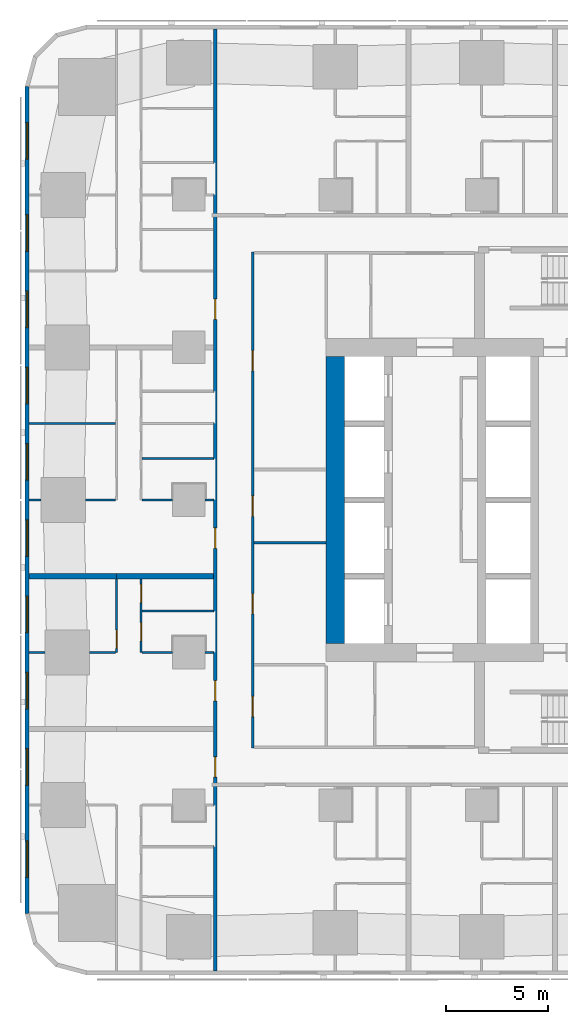
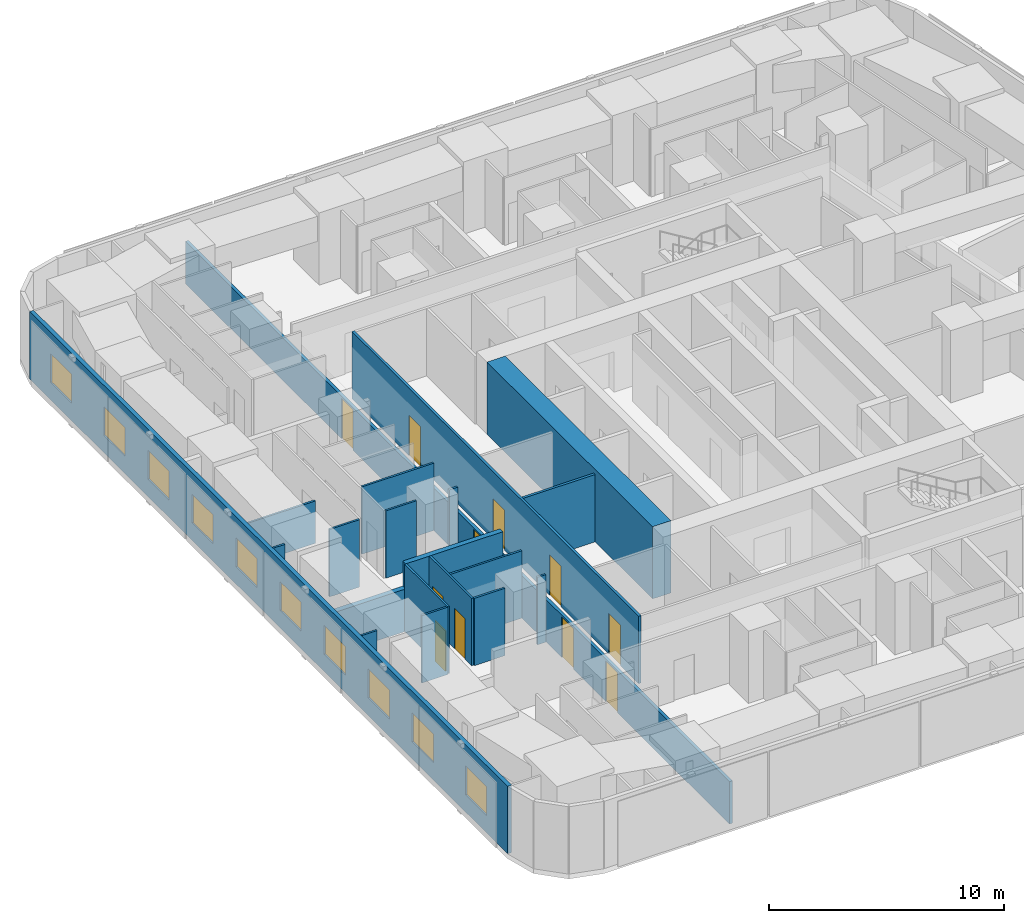
# One storey, part 5 of 16: 20 walls, 11 doors, 10 windows, 21 openings.
"""IFC4 building model written with IfcOpenShell, lengths in metres."""

from ifc_helpers import new_model, si_unit, direction, frame, frame_2d, origin, place, context, subcontext, project, spatial, rectangle, extrude, material, layer, layer_set, type_object, element, fill, save


model = new_model("IFC4")

# Units and contexts
model_context = context("Model", 3, precision=1e-05, world=origin(), true_north=direction((0.0, 1.0)))
body_context = subcontext(model_context, "Body", "Model", "MODEL_VIEW")
ifc_project = project(units=[si_unit("LENGTHUNIT", "METRE"), si_unit("AREAUNIT", "SQUARE_METRE"), si_unit("VOLUMEUNIT", "CUBIC_METRE"), si_unit("PLANEANGLEUNIT", "RADIAN"), si_unit("MASSUNIT", "GRAM", prefix="KILO")], contexts=[model_context])

# Site, building, storey
site_placement = place(None, origin())
site = spatial("IfcSite", under=ifc_project, at=site_placement, CompositionType="ELEMENT")
building_placement = place(site_placement, origin())
building = spatial("IfcBuilding", under=site, at=building_placement, Name="Sheger Commons Tower", CompositionType="ELEMENT")
storey_placement = place(building_placement, frame((0.0, 0.0, 96.64990234375)))
storey = spatial("IfcBuildingStorey", under=building, at=storey_placement, Name="L24", CompositionType="ELEMENT", Elevation=96.64990234375)

# Wall
ifc_material_1 = material(Name="Concrete C50/60", Category="concrete")
ifc_layer_1 = layer(ifc_material_1, 0.89990234375)
ifc_layer_set_1 = layer_set([ifc_layer_1], Name="CORE WALL 900")
wall_type_1 = type_object("IfcWallType", Name="CORE WALL 900", PredefinedType="SHEAR", material=ifc_layer_set_1)
wall_1_placement = place(storey_placement, frame((14.39990234375, 15.449951171875, 0.0), z_axis=(0.0, 0.0, 1.0), x_axis=(0.0, 1.0, 0.0)))
element("IfcWall", 1, at=wall_1_placement, inside=storey, type_object=wall_type_1, Name="Core wall west L24", PredefinedType="SHEAR", context=body_context, shape_type="SweptSolid", body=[
    extrude(rectangle(XDim=14.10009765625, YDim=0.89990234375, at=frame_2d((7.050048828125, 0.0))), origin(), (0.0, 0.0, 1.0), 3.75),
])

# Wall, openings, doors
ifc_material_2 = material(Name="Hollow concrete block masonry, skimmed both sides", Category="masonry")
ifc_layer_2 = layer(ifc_material_2, 0.14990234375)
ifc_layer_set_2 = layer_set([ifc_layer_2], Name="CORRIDOR WALL 150")
wall_type_2 = type_object("IfcWallType", Name="CORRIDOR WALL 150", PredefinedType="SOLIDWALL", material=ifc_layer_set_2)
wall_2_placement = place(storey_placement, frame((8.5, -0.64990234375, 0.0), z_axis=(0.0, 0.0, 1.0), x_axis=(0.0, 1.0, 0.0)))
wall_2 = element("IfcWall", 2, at=wall_2_placement, inside=storey, type_object=wall_type_2, Name="Corridor wall L24", PredefinedType="SOLIDWALL", context=body_context, shape_type="SweptSolid", body=[
    extrude(rectangle(XDim=46.2998046875, YDim=0.14990234375, at=frame_2d((23.14990234375, 0.0))), origin(), (0.0, 0.0, 1.0), 2.2001953125),
])
opening_1_placement = place(wall_2_placement, frame((9.52490234375, 0.0, 0.0)))
opening_1 = element("IfcOpeningElement", 3, at=opening_1_placement, cuts=wall_2, Name="Opening D1", PredefinedType="OPENING", context=body_context, shape_type="SweptSolid", body=[
    extrude(rectangle(XDim=1.0, YDim=2.10009765625, at=frame_2d((0.5, 1.050048828125))), frame((0.0, 0.0849609375, 0.0), z_axis=(0.0, -1.0, 0.0), x_axis=(1.0, 0.0, 0.0)), (0.0, 0.0, 1.0), 0.169921875),
])
opening_2_placement = place(wall_2_placement, frame((13.27490234375, 0.0, 0.0)))
opening_2 = element("IfcOpeningElement", 4, at=opening_2_placement, cuts=wall_2, Name="Opening D1", PredefinedType="OPENING", context=body_context, shape_type="SweptSolid", body=[
    extrude(rectangle(XDim=1.0, YDim=2.10009765625, at=frame_2d((0.5, 1.050048828125))), frame((0.0, 0.0849609375, 0.0), z_axis=(0.0, -1.0, 0.0), x_axis=(1.0, 0.0, 0.0)), (0.0, 0.0, 1.0), 0.169921875),
])
opening_3_placement = place(wall_2_placement, frame((20.77490234375, 0.0, 0.0)))
opening_3 = element("IfcOpeningElement", 5, at=opening_3_placement, cuts=wall_2, Name="Opening D1", PredefinedType="OPENING", context=body_context, shape_type="SweptSolid", body=[
    extrude(rectangle(XDim=1.0, YDim=2.10009765625, at=frame_2d((0.5, 1.050048828125))), frame((0.0, 0.0849609375, 0.0), z_axis=(0.0, -1.0, 0.0), x_axis=(1.0, 0.0, 0.0)), (0.0, 0.0, 1.0), 0.169921875),
])
opening_4_placement = place(wall_2_placement, frame((32.02490234375, 0.0, 0.0)))
opening_4 = element("IfcOpeningElement", 6, at=opening_4_placement, cuts=wall_2, Name="Opening D1", PredefinedType="OPENING", context=body_context, shape_type="SweptSolid", body=[
    extrude(rectangle(XDim=1.0, YDim=2.10009765625, at=frame_2d((0.5, 1.050048828125))), frame((0.0, 0.0849609375, 0.0), z_axis=(0.0, -1.0, 0.0), x_axis=(1.0, 0.0, 0.0)), (0.0, 0.0, 1.0), 0.169921875),
])
ifc_material_3 = material(Name="Steel door set, fire rated", Category="steel")
door_type_1 = type_object("IfcDoorType", Name="FLAT ENTRANCE DOOR 1000x2100", OperationType="NOTDEFINED", PredefinedType="DOOR", material=ifc_material_3)
door_1_placement = place(opening_1_placement, origin())
door_1 = element("IfcDoor", 7, at=door_1_placement, inside=storey, type_object=door_type_1, Name="Flat entrance door", OperationType="SINGLE_SWING_RIGHT", OverallHeight=2.10009765625, OverallWidth=1.0, PredefinedType="DOOR", context=body_context, shape_type="SweptSolid", body=[
    extrude(rectangle(XDim=1.0, YDim=2.10009765625, at=frame_2d((0.5, 1.050048828125))), frame((0.0, 0.02490234375, 0.0), z_axis=(0.0, -1.0, 0.0), x_axis=(1.0, 0.0, 0.0)), (0.0, 0.0, 1.0), 0.050048828125),
])
fill(opening_1, door_1)
door_2_placement = place(opening_2_placement, origin())
door_2 = element("IfcDoor", 8, at=door_2_placement, inside=storey, type_object=door_type_1, Name="Flat entrance door", OperationType="SINGLE_SWING_LEFT", OverallHeight=2.10009765625, OverallWidth=1.0, PredefinedType="DOOR", context=body_context, shape_type="SweptSolid", body=[
    extrude(rectangle(XDim=1.0, YDim=2.10009765625, at=frame_2d((0.5, 1.050048828125))), frame((0.0, 0.02490234375, 0.0), z_axis=(0.0, -1.0, 0.0), x_axis=(1.0, 0.0, 0.0)), (0.0, 0.0, 1.0), 0.050048828125),
])
fill(opening_2, door_2)
door_3_placement = place(opening_3_placement, origin())
door_3 = element("IfcDoor", 9, at=door_3_placement, inside=storey, type_object=door_type_1, Name="Flat entrance door", OperationType="SINGLE_SWING_RIGHT", OverallHeight=2.10009765625, OverallWidth=1.0, PredefinedType="DOOR", context=body_context, shape_type="SweptSolid", body=[
    extrude(rectangle(XDim=1.0, YDim=2.10009765625, at=frame_2d((0.5, 1.050048828125))), frame((0.0, 0.02490234375, 0.0), z_axis=(0.0, -1.0, 0.0), x_axis=(1.0, 0.0, 0.0)), (0.0, 0.0, 1.0), 0.050048828125),
])
fill(opening_3, door_3)
door_4_placement = place(opening_4_placement, origin())
door_4 = element("IfcDoor", 10, at=door_4_placement, inside=storey, type_object=door_type_1, Name="Flat entrance door", OperationType="SINGLE_SWING_LEFT", OverallHeight=2.10009765625, OverallWidth=1.0, PredefinedType="DOOR", context=body_context, shape_type="SweptSolid", body=[
    extrude(rectangle(XDim=1.0, YDim=2.10009765625, at=frame_2d((0.5, 1.050048828125))), frame((0.0, 0.02490234375, 0.0), z_axis=(0.0, -1.0, 0.0), x_axis=(1.0, 0.0, 0.0)), (0.0, 0.0, 1.0), 0.050048828125),
])
fill(opening_4, door_4)

# Walls
ifc_material_4 = material(Name="Dense concrete block masonry, plastered both sides (separating wall between flats)", Category="masonry")
ifc_layer_3 = layer(ifc_material_4, 0.25)
ifc_layer_set_3 = layer_set([ifc_layer_3], Name="DEMISING WALL 250")
wall_type_3 = type_object("IfcWallType", Name="DEMISING WALL 250", PredefinedType="SOLIDWALL", material=ifc_layer_set_3)
wall_3_placement = place(storey_placement, frame((-0.64990234375, 18.75, 0.0), z_axis=(0.0, 0.0, 1.0), x_axis=(1.0, 0.0, 0.0)))
element("IfcWall", 11, at=wall_3_placement, inside=storey, type_object=wall_type_3, Name="Demising wall L24", PredefinedType="SOLIDWALL", context=body_context, shape_type="SweptSolid", body=[
    extrude(rectangle(XDim=4.2998046875, YDim=0.25, at=frame_2d((2.14990234375, 0.0))), origin(), (0.0, 0.0, 1.0), 2.2001953125),
])
wall_4_placement = place(storey_placement, frame((3.64990234375, 18.75, 0.0), z_axis=(0.0, 0.0, 1.0), x_axis=(1.0, 0.0, 0.0)))
element("IfcWall", 12, at=wall_4_placement, inside=storey, type_object=wall_type_3, Name="Demising wall L24", PredefinedType="SOLIDWALL", context=body_context, shape_type="SweptSolid", body=[
    extrude(rectangle(XDim=4.775146484375, YDim=0.25, at=frame_2d((2.3876953125, 0.0))), origin(), (0.0, 0.0, 1.0), 3.5),
])

# Wall, openings, windows
ifc_material_5 = material(Name="Rendered concrete block masonry, dark grey", Category="masonry")
ifc_layer_4 = layer(ifc_material_5, 0.199951171875)
ifc_layer_set_4 = layer_set([ifc_layer_4], Name="FACADE WALL 200")
wall_type_4 = type_object("IfcWallType", Name="FACADE WALL 200", PredefinedType="SOLIDWALL", material=ifc_layer_set_4)
wall_5_placement = place(storey_placement, frame((-0.75, 42.8369140625, 0.0), z_axis=(0.0, 0.0, 1.0), x_axis=(0.0, -1.0, 0.0)))
wall_5 = element("IfcWall", 13, at=wall_5_placement, inside=storey, type_object=wall_type_4, Name="Facade wall L24", PredefinedType="SOLIDWALL", context=body_context, shape_type="SweptSolid", body=[
    extrude(rectangle(XDim=40.673828125, YDim=0.199951171875, at=frame_2d((20.3369140625, 0.0))), origin(), (0.0, 0.0, 1.0), 3.5),
])
opening_5_placement = place(wall_5_placement, frame((1.780029296875, 0.0, 0.89990234375)))
opening_5 = element("IfcOpeningElement", 14, at=opening_5_placement, cuts=wall_5, Name="Opening W2", PredefinedType="OPENING", context=body_context, shape_type="SweptSolid", body=[
    extrude(rectangle(XDim=1.800048828125, YDim=1.5, at=frame_2d((0.89990234375, 0.75))), frame((0.0, 0.10986328125, 0.0), z_axis=(0.0, -1.0, 0.0), x_axis=(1.0, 0.0, 0.0)), (0.0, 0.0, 1.0), 0.219970703125),
])
opening_6_placement = place(wall_5_placement, frame((6.31201171875, 0.0, 0.89990234375)))
opening_6 = element("IfcOpeningElement", 15, at=opening_6_placement, cuts=wall_5, Name="Opening W2", PredefinedType="OPENING", context=body_context, shape_type="SweptSolid", body=[
    extrude(rectangle(XDim=1.800048828125, YDim=1.5, at=frame_2d((0.89990234375, 0.75))), frame((0.0, 0.10986328125, 0.0), z_axis=(0.0, -1.0, 0.0), x_axis=(1.0, 0.0, 0.0)), (0.0, 0.0, 1.0), 0.219970703125),
])
opening_7_placement = place(wall_5_placement, frame((10.06201171875, 0.0, 0.89990234375)))
opening_7 = element("IfcOpeningElement", 16, at=opening_7_placement, cuts=wall_5, Name="Opening W2", PredefinedType="OPENING", context=body_context, shape_type="SweptSolid", body=[
    extrude(rectangle(XDim=1.800048828125, YDim=1.5, at=frame_2d((0.89990234375, 0.75))), frame((0.0, 0.10986328125, 0.0), z_axis=(0.0, -1.0, 0.0), x_axis=(1.0, 0.0, 0.0)), (0.0, 0.0, 1.0), 0.219970703125),
])
opening_8_placement = place(wall_5_placement, frame((13.81201171875, 0.0, 0.89990234375)))
opening_8 = element("IfcOpeningElement", 17, at=opening_8_placement, cuts=wall_5, Name="Opening W2", PredefinedType="OPENING", context=body_context, shape_type="SweptSolid", body=[
    extrude(rectangle(XDim=1.800048828125, YDim=1.5, at=frame_2d((0.89990234375, 0.75))), frame((0.0, 0.10986328125, 0.0), z_axis=(0.0, -1.0, 0.0), x_axis=(1.0, 0.0, 0.0)), (0.0, 0.0, 1.0), 0.219970703125),
])
opening_9_placement = place(wall_5_placement, frame((17.56201171875, 0.0, 0.89990234375)))
opening_9 = element("IfcOpeningElement", 18, at=opening_9_placement, cuts=wall_5, Name="Opening W2", PredefinedType="OPENING", context=body_context, shape_type="SweptSolid", body=[
    extrude(rectangle(XDim=1.800048828125, YDim=1.5, at=frame_2d((0.89990234375, 0.75))), frame((0.0, 0.10986328125, 0.0), z_axis=(0.0, -1.0, 0.0), x_axis=(1.0, 0.0, 0.0)), (0.0, 0.0, 1.0), 0.219970703125),
])
opening_10_placement = place(wall_5_placement, frame((21.31201171875, 0.0, 0.89990234375)))
opening_10 = element("IfcOpeningElement", 19, at=opening_10_placement, cuts=wall_5, Name="Opening W2", PredefinedType="OPENING", context=body_context, shape_type="SweptSolid", body=[
    extrude(rectangle(XDim=1.800048828125, YDim=1.5, at=frame_2d((0.89990234375, 0.75))), frame((0.0, 0.10986328125, 0.0), z_axis=(0.0, -1.0, 0.0), x_axis=(1.0, 0.0, 0.0)), (0.0, 0.0, 1.0), 0.219970703125),
])
opening_11_placement = place(wall_5_placement, frame((25.06201171875, 0.0, 0.89990234375)))
opening_11 = element("IfcOpeningElement", 20, at=opening_11_placement, cuts=wall_5, Name="Opening W2", PredefinedType="OPENING", context=body_context, shape_type="SweptSolid", body=[
    extrude(rectangle(XDim=1.800048828125, YDim=1.5, at=frame_2d((0.89990234375, 0.75))), frame((0.0, 0.10986328125, 0.0), z_axis=(0.0, -1.0, 0.0), x_axis=(1.0, 0.0, 0.0)), (0.0, 0.0, 1.0), 0.219970703125),
])
opening_12_placement = place(wall_5_placement, frame((28.81201171875, 0.0, 0.89990234375)))
opening_12 = element("IfcOpeningElement", 21, at=opening_12_placement, cuts=wall_5, Name="Opening W2", PredefinedType="OPENING", context=body_context, shape_type="SweptSolid", body=[
    extrude(rectangle(XDim=1.800048828125, YDim=1.5, at=frame_2d((0.89990234375, 0.75))), frame((0.0, 0.10986328125, 0.0), z_axis=(0.0, -1.0, 0.0), x_axis=(1.0, 0.0, 0.0)), (0.0, 0.0, 1.0), 0.219970703125),
])
opening_13_placement = place(wall_5_placement, frame((32.56201171875, 0.0, 0.89990234375)))
opening_13 = element("IfcOpeningElement", 22, at=opening_13_placement, cuts=wall_5, Name="Opening W2", PredefinedType="OPENING", context=body_context, shape_type="SweptSolid", body=[
    extrude(rectangle(XDim=1.800048828125, YDim=1.5, at=frame_2d((0.89990234375, 0.75))), frame((0.0, 0.10986328125, 0.0), z_axis=(0.0, -1.0, 0.0), x_axis=(1.0, 0.0, 0.0)), (0.0, 0.0, 1.0), 0.219970703125),
])
opening_14_placement = place(wall_5_placement, frame((37.093994140625, 0.0, 0.89990234375)))
opening_14 = element("IfcOpeningElement", 23, at=opening_14_placement, cuts=wall_5, Name="Opening W2", PredefinedType="OPENING", context=body_context, shape_type="SweptSolid", body=[
    extrude(rectangle(XDim=1.800048828125, YDim=1.5, at=frame_2d((0.89990234375, 0.75))), frame((0.0, 0.10986328125, 0.0), z_axis=(0.0, -1.0, 0.0), x_axis=(1.0, 0.0, 0.0)), (0.0, 0.0, 1.0), 0.219970703125),
])
ifc_material_6 = material(Name="Black aluminium frame, dark tinted double glazing", Category="aluminium")
window_type = type_object("IfcWindowType", Name="WINDOW W2 1800x1500", PartitioningType="SINGLE_PANEL", PredefinedType="WINDOW", material=ifc_material_6)
window_1_placement = place(opening_5_placement, origin())
window_1 = element("IfcWindow", 24, at=window_1_placement, inside=storey, type_object=window_type, Name="Window W2 1800X1500", OverallHeight=1.5, OverallWidth=1.800048828125, PartitioningType="SINGLE_PANEL", PredefinedType="WINDOW", context=body_context, shape_type="SweptSolid", body=[
    extrude(rectangle(XDim=1.800048828125, YDim=1.5, at=frame_2d((0.89990234375, 0.75))), frame((0.0, 0.030029296875, 0.0), z_axis=(0.0, -1.0, 0.0), x_axis=(1.0, 0.0, 0.0)), (0.0, 0.0, 1.0), 0.06005859375),
])
fill(opening_5, window_1)
window_2_placement = place(opening_6_placement, origin())
window_2 = element("IfcWindow", 25, at=window_2_placement, inside=storey, type_object=window_type, Name="Window W2 1800X1500", OverallHeight=1.5, OverallWidth=1.800048828125, PartitioningType="SINGLE_PANEL", PredefinedType="WINDOW", context=body_context, shape_type="SweptSolid", body=[
    extrude(rectangle(XDim=1.800048828125, YDim=1.5, at=frame_2d((0.89990234375, 0.75))), frame((0.0, 0.030029296875, 0.0), z_axis=(0.0, -1.0, 0.0), x_axis=(1.0, 0.0, 0.0)), (0.0, 0.0, 1.0), 0.06005859375),
])
fill(opening_6, window_2)
window_3_placement = place(opening_7_placement, origin())
window_3 = element("IfcWindow", 26, at=window_3_placement, inside=storey, type_object=window_type, Name="Window W2 1800X1500", OverallHeight=1.5, OverallWidth=1.800048828125, PartitioningType="SINGLE_PANEL", PredefinedType="WINDOW", context=body_context, shape_type="SweptSolid", body=[
    extrude(rectangle(XDim=1.800048828125, YDim=1.5, at=frame_2d((0.89990234375, 0.75))), frame((0.0, 0.030029296875, 0.0), z_axis=(0.0, -1.0, 0.0), x_axis=(1.0, 0.0, 0.0)), (0.0, 0.0, 1.0), 0.06005859375),
])
fill(opening_7, window_3)
window_4_placement = place(opening_8_placement, origin())
window_4 = element("IfcWindow", 27, at=window_4_placement, inside=storey, type_object=window_type, Name="Window W2 1800X1500", OverallHeight=1.5, OverallWidth=1.800048828125, PartitioningType="SINGLE_PANEL", PredefinedType="WINDOW", context=body_context, shape_type="SweptSolid", body=[
    extrude(rectangle(XDim=1.800048828125, YDim=1.5, at=frame_2d((0.89990234375, 0.75))), frame((0.0, 0.030029296875, 0.0), z_axis=(0.0, -1.0, 0.0), x_axis=(1.0, 0.0, 0.0)), (0.0, 0.0, 1.0), 0.06005859375),
])
fill(opening_8, window_4)
window_5_placement = place(opening_9_placement, origin())
window_5 = element("IfcWindow", 28, at=window_5_placement, inside=storey, type_object=window_type, Name="Window W2 1800X1500", OverallHeight=1.5, OverallWidth=1.800048828125, PartitioningType="SINGLE_PANEL", PredefinedType="WINDOW", context=body_context, shape_type="SweptSolid", body=[
    extrude(rectangle(XDim=1.800048828125, YDim=1.5, at=frame_2d((0.89990234375, 0.75))), frame((0.0, 0.030029296875, 0.0), z_axis=(0.0, -1.0, 0.0), x_axis=(1.0, 0.0, 0.0)), (0.0, 0.0, 1.0), 0.06005859375),
])
fill(opening_9, window_5)
window_6_placement = place(opening_10_placement, origin())
window_6 = element("IfcWindow", 29, at=window_6_placement, inside=storey, type_object=window_type, Name="Window W2 1800X1500", OverallHeight=1.5, OverallWidth=1.800048828125, PartitioningType="SINGLE_PANEL", PredefinedType="WINDOW", context=body_context, shape_type="SweptSolid", body=[
    extrude(rectangle(XDim=1.800048828125, YDim=1.5, at=frame_2d((0.89990234375, 0.75))), frame((0.0, 0.030029296875, 0.0), z_axis=(0.0, -1.0, 0.0), x_axis=(1.0, 0.0, 0.0)), (0.0, 0.0, 1.0), 0.06005859375),
])
fill(opening_10, window_6)
window_7_placement = place(opening_11_placement, origin())
window_7 = element("IfcWindow", 30, at=window_7_placement, inside=storey, type_object=window_type, Name="Window W2 1800X1500", OverallHeight=1.5, OverallWidth=1.800048828125, PartitioningType="SINGLE_PANEL", PredefinedType="WINDOW", context=body_context, shape_type="SweptSolid", body=[
    extrude(rectangle(XDim=1.800048828125, YDim=1.5, at=frame_2d((0.89990234375, 0.75))), frame((0.0, 0.030029296875, 0.0), z_axis=(0.0, -1.0, 0.0), x_axis=(1.0, 0.0, 0.0)), (0.0, 0.0, 1.0), 0.06005859375),
])
fill(opening_11, window_7)
window_8_placement = place(opening_12_placement, origin())
window_8 = element("IfcWindow", 31, at=window_8_placement, inside=storey, type_object=window_type, Name="Window W2 1800X1500", OverallHeight=1.5, OverallWidth=1.800048828125, PartitioningType="SINGLE_PANEL", PredefinedType="WINDOW", context=body_context, shape_type="SweptSolid", body=[
    extrude(rectangle(XDim=1.800048828125, YDim=1.5, at=frame_2d((0.89990234375, 0.75))), frame((0.0, 0.030029296875, 0.0), z_axis=(0.0, -1.0, 0.0), x_axis=(1.0, 0.0, 0.0)), (0.0, 0.0, 1.0), 0.06005859375),
])
fill(opening_12, window_8)
window_9_placement = place(opening_13_placement, origin())
window_9 = element("IfcWindow", 32, at=window_9_placement, inside=storey, type_object=window_type, Name="Window W2 1800X1500", OverallHeight=1.5, OverallWidth=1.800048828125, PartitioningType="SINGLE_PANEL", PredefinedType="WINDOW", context=body_context, shape_type="SweptSolid", body=[
    extrude(rectangle(XDim=1.800048828125, YDim=1.5, at=frame_2d((0.89990234375, 0.75))), frame((0.0, 0.030029296875, 0.0), z_axis=(0.0, -1.0, 0.0), x_axis=(1.0, 0.0, 0.0)), (0.0, 0.0, 1.0), 0.06005859375),
])
fill(opening_13, window_9)
window_10_placement = place(opening_14_placement, origin())
window_10 = element("IfcWindow", 33, at=window_10_placement, inside=storey, type_object=window_type, Name="Window W2 1800X1500", OverallHeight=1.5, OverallWidth=1.800048828125, PartitioningType="SINGLE_PANEL", PredefinedType="WINDOW", context=body_context, shape_type="SweptSolid", body=[
    extrude(rectangle(XDim=1.800048828125, YDim=1.5, at=frame_2d((0.89990234375, 0.75))), frame((0.0, 0.030029296875, 0.0), z_axis=(0.0, -1.0, 0.0), x_axis=(1.0, 0.0, 0.0)), (0.0, 0.0, 1.0), 0.06005859375),
])
fill(opening_14, window_10)

# Wall, opening, door
ifc_material_7 = material(Name="Gypsum board on steel studs", Category="steel")
ifc_layer_5 = layer(ifc_material_7, 0.10009765625)
ifc_layer_set_5 = layer_set([ifc_layer_5], Name="PARTITION 100")
wall_type_5 = type_object("IfcWallType", Name="PARTITION 100", PredefinedType="PARTITIONING", material=ifc_layer_set_5)
wall_6_placement = place(storey_placement, frame((3.64990234375, 15.0, 0.0), z_axis=(0.0, 0.0, 1.0), x_axis=(0.0, 1.0, 0.0)))
wall_6 = element("IfcWall", 34, at=wall_6_placement, inside=storey, type_object=wall_type_5, Name="Partition L24", PredefinedType="PARTITIONING", context=body_context, shape_type="SweptSolid", body=[
    extrude(rectangle(XDim=3.625, YDim=0.10009765625, at=frame_2d((1.8125, 0.0))), origin(), (0.0, 0.0, 1.0), 3.5),
])
opening_15_placement = place(wall_6_placement, frame((0.199951171875, 0.0, 0.0)))
opening_15 = element("IfcOpeningElement", 35, at=opening_15_placement, cuts=wall_6, Name="Opening D2", PredefinedType="OPENING", context=body_context, shape_type="SweptSolid", body=[
    extrude(rectangle(XDim=0.89990234375, YDim=2.10009765625, at=frame_2d((0.449951171875, 1.050048828125))), frame((0.0, 0.06005859375, 0.0), z_axis=(0.0, -1.0, 0.0), x_axis=(1.0, 0.0, 0.0)), (0.0, 0.0, 1.0), 0.1201171875),
])
ifc_material_8 = material(Name="Timber door set", Category="wood")
door_type_2 = type_object("IfcDoorType", Name="INTERNAL DOOR 900x2100", OperationType="NOTDEFINED", PredefinedType="DOOR", material=ifc_material_8)
door_5_placement = place(opening_15_placement, origin())
door_5 = element("IfcDoor", 36, at=door_5_placement, inside=storey, type_object=door_type_2, Name="Main bedroom door", OperationType="SINGLE_SWING_LEFT", OverallHeight=2.10009765625, OverallWidth=0.89990234375, PredefinedType="DOOR", context=body_context, shape_type="SweptSolid", body=[
    extrude(rectangle(XDim=0.89990234375, YDim=2.10009765625, at=frame_2d((0.449951171875, 1.050048828125))), frame((0.0, 0.02490234375, 0.0), z_axis=(0.0, -1.0, 0.0), x_axis=(1.0, 0.0, 0.0)), (0.0, 0.0, 1.0), 0.050048828125),
])
fill(opening_15, door_5)

# Wall, openings, doors
wall_7_placement = place(storey_placement, frame((4.85009765625, 15.0, 0.0), z_axis=(0.0, 0.0, 1.0), x_axis=(0.0, 1.0, 0.0)))
wall_7 = element("IfcWall", 37, at=wall_7_placement, inside=storey, type_object=wall_type_5, Name="Partition L24", PredefinedType="PARTITIONING", context=body_context, shape_type="SweptSolid", body=[
    extrude(rectangle(XDim=3.625, YDim=0.10009765625, at=frame_2d((1.8125, 0.0))), origin(), (0.0, 0.0, 1.0), 3.5),
])
opening_16_placement = place(wall_7_placement, frame((0.574951171875, 0.0, 0.0)))
opening_16 = element("IfcOpeningElement", 38, at=opening_16_placement, cuts=wall_7, Name="Opening D2", PredefinedType="OPENING", context=body_context, shape_type="SweptSolid", body=[
    extrude(rectangle(XDim=0.89990234375, YDim=2.10009765625, at=frame_2d((0.449951171875, 1.050048828125))), frame((0.0, 0.06005859375, 0.0), z_axis=(0.0, -1.0, 0.0), x_axis=(1.0, 0.0, 0.0)), (0.0, 0.0, 1.0), 0.1201171875),
])
opening_17_placement = place(wall_7_placement, frame((2.449951171875, 0.0, 0.0)))
opening_17 = element("IfcOpeningElement", 39, at=opening_17_placement, cuts=wall_7, Name="Opening D2", PredefinedType="OPENING", context=body_context, shape_type="SweptSolid", body=[
    extrude(rectangle(XDim=0.89990234375, YDim=2.10009765625, at=frame_2d((0.449951171875, 1.050048828125))), frame((0.0, 0.06005859375, 0.0), z_axis=(0.0, -1.0, 0.0), x_axis=(1.0, 0.0, 0.0)), (0.0, 0.0, 1.0), 0.1201171875),
])
door_6_placement = place(opening_16_placement, origin())
door_6 = element("IfcDoor", 40, at=door_6_placement, inside=storey, type_object=door_type_2, Name="Bathroom door", OperationType="SINGLE_SWING_RIGHT", OverallHeight=2.10009765625, OverallWidth=0.89990234375, PredefinedType="DOOR", context=body_context, shape_type="SweptSolid", body=[
    extrude(rectangle(XDim=0.89990234375, YDim=2.10009765625, at=frame_2d((0.449951171875, 1.050048828125))), frame((0.0, 0.02490234375, 0.0), z_axis=(0.0, -1.0, 0.0), x_axis=(1.0, 0.0, 0.0)), (0.0, 0.0, 1.0), 0.050048828125),
])
fill(opening_16, door_6)
door_7_placement = place(opening_17_placement, origin())
door_7 = element("IfcDoor", 41, at=door_7_placement, inside=storey, type_object=door_type_2, Name="Store door", OperationType="SINGLE_SWING_LEFT", OverallHeight=2.10009765625, OverallWidth=0.89990234375, PredefinedType="DOOR", context=body_context, shape_type="SweptSolid", body=[
    extrude(rectangle(XDim=0.89990234375, YDim=2.10009765625, at=frame_2d((0.449951171875, 1.050048828125))), frame((0.0, 0.02490234375, 0.0), z_axis=(0.0, -1.0, 0.0), x_axis=(1.0, 0.0, 0.0)), (0.0, 0.0, 1.0), 0.050048828125),
])
fill(opening_17, door_7)

# Walls
wall_8_placement = place(storey_placement, frame((-0.64990234375, 15.0, 0.0), z_axis=(0.0, 0.0, 1.0), x_axis=(1.0, 0.0, 0.0)))
element("IfcWall", 42, at=wall_8_placement, inside=storey, type_object=wall_type_5, Name="Partition L24", PredefinedType="PARTITIONING", context=body_context, shape_type="SweptSolid", body=[
    extrude(rectangle(XDim=0.77392578125, YDim=0.10009765625, at=frame_2d((0.386962890625, 0.0))), origin(), (0.0, 0.0, 1.0), 3.5),
])
wall_9_placement = place(storey_placement, frame((2.325927734375, 15.0, 0.0), z_axis=(0.0, 0.0, 1.0), x_axis=(1.0, 0.0, 0.0)))
element("IfcWall", 43, at=wall_9_placement, inside=storey, type_object=wall_type_5, Name="Partition L24", PredefinedType="PARTITIONING", context=body_context, shape_type="SweptSolid", body=[
    extrude(rectangle(XDim=1.274169921875, YDim=0.10009765625, at=frame_2d((0.63720703125, 0.0))), origin(), (0.0, 0.0, 1.0), 3.5),
])
wall_10_placement = place(storey_placement, frame((4.89990234375, 15.0, 0.0), z_axis=(0.0, 0.0, 1.0), x_axis=(1.0, 0.0, 0.0)))
element("IfcWall", 44, at=wall_10_placement, inside=storey, type_object=wall_type_5, Name="Partition L24", PredefinedType="PARTITIONING", context=body_context, shape_type="SweptSolid", body=[
    extrude(rectangle(XDim=1.4990234375, YDim=0.10009765625, at=frame_2d((0.74951171875, 0.0))), origin(), (0.0, 0.0, 1.0), 3.5),
])
wall_11_placement = place(storey_placement, frame((8.0009765625, 15.0, 0.0), z_axis=(0.0, 0.0, 1.0), x_axis=(1.0, 0.0, 0.0)))
element("IfcWall", 45, at=wall_11_placement, inside=storey, type_object=wall_type_5, Name="Partition L24", PredefinedType="PARTITIONING", context=body_context, shape_type="SweptSolid", body=[
    extrude(rectangle(XDim=0.424072265625, YDim=0.10009765625, at=frame_2d((0.2119140625, 0.0))), origin(), (0.0, 0.0, 1.0), 3.5),
])
wall_12_placement = place(storey_placement, frame((4.89990234375, 17.050048828125, 0.0), z_axis=(0.0, 0.0, 1.0), x_axis=(1.0, 0.0, 0.0)))
element("IfcWall", 46, at=wall_12_placement, inside=storey, type_object=wall_type_5, Name="Partition L24", PredefinedType="PARTITIONING", context=body_context, shape_type="SweptSolid", body=[
    extrude(rectangle(XDim=3.525146484375, YDim=0.10009765625, at=frame_2d((1.7626953125, 0.0))), origin(), (0.0, 0.0, 1.0), 3.5),
])
wall_13_placement = place(storey_placement, frame((-0.64990234375, 22.5, 0.0), z_axis=(0.0, 0.0, 1.0), x_axis=(1.0, 0.0, 0.0)))
element("IfcWall", 47, at=wall_13_placement, inside=storey, type_object=wall_type_5, Name="Partition L24", PredefinedType="PARTITIONING", context=body_context, shape_type="SweptSolid", body=[
    extrude(rectangle(XDim=0.573974609375, YDim=0.10009765625, at=frame_2d((0.287109375, 0.0))), origin(), (0.0, 0.0, 1.0), 3.5),
])
wall_14_placement = place(storey_placement, frame((2.1259765625, 22.5, 0.0), z_axis=(0.0, 0.0, 1.0), x_axis=(1.0, 0.0, 0.0)))
element("IfcWall", 48, at=wall_14_placement, inside=storey, type_object=wall_type_5, Name="Partition L24", PredefinedType="PARTITIONING", context=body_context, shape_type="SweptSolid", body=[
    extrude(rectangle(XDim=1.47412109375, YDim=0.10009765625, at=frame_2d((0.737060546875, 0.0))), origin(), (0.0, 0.0, 1.0), 3.5),
])
wall_15_placement = place(storey_placement, frame((-0.64990234375, 26.25, 0.0), z_axis=(0.0, 0.0, 1.0), x_axis=(1.0, 0.0, 0.0)))
element("IfcWall", 49, at=wall_15_placement, inside=storey, type_object=wall_type_5, Name="Partition L24", PredefinedType="PARTITIONING", context=body_context, shape_type="SweptSolid", body=[
    extrude(rectangle(XDim=4.25, YDim=0.10009765625, at=frame_2d((2.125, 0.0))), origin(), (0.0, 0.0, 1.0), 2.2001953125),
])
wall_16_placement = place(storey_placement, frame((4.89990234375, 22.5, 0.0), z_axis=(0.0, 0.0, 1.0), x_axis=(1.0, 0.0, 0.0)))
element("IfcWall", 50, at=wall_16_placement, inside=storey, type_object=wall_type_5, Name="Partition L24", PredefinedType="PARTITIONING", context=body_context, shape_type="SweptSolid", body=[
    extrude(rectangle(XDim=1.4990234375, YDim=0.10009765625, at=frame_2d((0.74951171875, 0.0))), origin(), (0.0, 0.0, 1.0), 3.5),
])
wall_17_placement = place(storey_placement, frame((8.0009765625, 22.5, 0.0), z_axis=(0.0, 0.0, 1.0), x_axis=(1.0, 0.0, 0.0)))
element("IfcWall", 51, at=wall_17_placement, inside=storey, type_object=wall_type_5, Name="Partition L24", PredefinedType="PARTITIONING", context=body_context, shape_type="SweptSolid", body=[
    extrude(rectangle(XDim=0.424072265625, YDim=0.10009765625, at=frame_2d((0.2119140625, 0.0))), origin(), (0.0, 0.0, 1.0), 3.5),
])
wall_18_placement = place(storey_placement, frame((4.89990234375, 24.550048828125, 0.0), z_axis=(0.0, 0.0, 1.0), x_axis=(1.0, 0.0, 0.0)))
element("IfcWall", 52, at=wall_18_placement, inside=storey, type_object=wall_type_5, Name="Partition L24", PredefinedType="PARTITIONING", context=body_context, shape_type="SweptSolid", body=[
    extrude(rectangle(XDim=3.525146484375, YDim=0.10009765625, at=frame_2d((1.7626953125, 0.0))), origin(), (0.0, 0.0, 1.0), 3.5),
])

# Wall, openings, doors
ifc_material_9 = material(Name="Gypsum board on steel studs, two layers each side, fire rated", Category="steel")
ifc_layer_6 = layer(ifc_material_9, 0.125)
ifc_layer_set_6 = layer_set([ifc_layer_6], Name="SERVICE WALL 125")
wall_type_6 = type_object("IfcWallType", Name="SERVICE WALL 125", PredefinedType="PARTITIONING", material=ifc_layer_set_6)
wall_19_placement = place(storey_placement, frame((10.35009765625, 10.300048828125, 0.0), z_axis=(0.0, 0.0, 1.0), x_axis=(0.0, 1.0, 0.0)))
wall_19 = element("IfcWall", 53, at=wall_19_placement, inside=storey, type_object=wall_type_6, Name="Service room wall L24", PredefinedType="PARTITIONING", context=body_context, shape_type="SweptSolid", body=[
    extrude(rectangle(XDim=24.39990234375, YDim=0.125, at=frame_2d((12.199951171875, 0.0))), origin(), (0.0, 0.0, 1.0), 3.5),
])
opening_18_placement = place(wall_19_placement, frame((1.550048828125, 0.0, 0.0)))
opening_18 = element("IfcOpeningElement", 54, at=opening_18_placement, cuts=wall_19, Name="Opening D4", PredefinedType="OPENING", context=body_context, shape_type="SweptSolid", body=[
    extrude(rectangle(XDim=1.0, YDim=2.10009765625, at=frame_2d((0.5, 1.050048828125))), frame((0.0, 0.072509765625, 0.0), z_axis=(0.0, -1.0, 0.0), x_axis=(1.0, 0.0, 0.0)), (0.0, 0.0, 1.0), 0.14501953125),
])
opening_19_placement = place(wall_19_placement, frame((6.60009765625, 0.0, 0.0)))
opening_19 = element("IfcOpeningElement", 55, at=opening_19_placement, cuts=wall_19, Name="Opening D4", PredefinedType="OPENING", context=body_context, shape_type="SweptSolid", body=[
    extrude(rectangle(XDim=1.0, YDim=2.10009765625, at=frame_2d((0.5, 1.050048828125))), frame((0.0, 0.072509765625, 0.0), z_axis=(0.0, -1.0, 0.0), x_axis=(1.0, 0.0, 0.0)), (0.0, 0.0, 1.0), 0.14501953125),
])
opening_20_placement = place(wall_19_placement, frame((11.39990234375, 0.0, 0.0)))
opening_20 = element("IfcOpeningElement", 56, at=opening_20_placement, cuts=wall_19, Name="Opening D4", PredefinedType="OPENING", context=body_context, shape_type="SweptSolid", body=[
    extrude(rectangle(XDim=1.0, YDim=2.10009765625, at=frame_2d((0.5, 1.050048828125))), frame((0.0, 0.072509765625, 0.0), z_axis=(0.0, -1.0, 0.0), x_axis=(1.0, 0.0, 0.0)), (0.0, 0.0, 1.0), 0.14501953125),
])
opening_21_placement = place(wall_19_placement, frame((18.550048828125, 0.0, 0.0)))
opening_21 = element("IfcOpeningElement", 57, at=opening_21_placement, cuts=wall_19, Name="Opening D4", PredefinedType="OPENING", context=body_context, shape_type="SweptSolid", body=[
    extrude(rectangle(XDim=1.0, YDim=2.10009765625, at=frame_2d((0.5, 1.050048828125))), frame((0.0, 0.072509765625, 0.0), z_axis=(0.0, -1.0, 0.0), x_axis=(1.0, 0.0, 0.0)), (0.0, 0.0, 1.0), 0.14501953125),
])
ifc_material_10 = material(Name="Steel door set, fire rated", Category="steel")
door_type_3 = type_object("IfcDoorType", Name="SERVICE DOOR 1000x2100", OperationType="NOTDEFINED", PredefinedType="DOOR", material=ifc_material_10)
door_8_placement = place(opening_18_placement, origin())
door_8 = element("IfcDoor", 58, at=door_8_placement, inside=storey, type_object=door_type_3, Name="Refuse chute room door", OperationType="SINGLE_SWING_RIGHT", OverallHeight=2.10009765625, OverallWidth=1.0, PredefinedType="DOOR", context=body_context, shape_type="SweptSolid", body=[
    extrude(rectangle(XDim=1.0, YDim=2.10009765625, at=frame_2d((0.5, 1.050048828125))), frame((0.0, 0.02490234375, 0.0), z_axis=(0.0, -1.0, 0.0), x_axis=(1.0, 0.0, 0.0)), (0.0, 0.0, 1.0), 0.050048828125),
])
fill(opening_18, door_8)
door_9_placement = place(opening_19_placement, origin())
door_9 = element("IfcDoor", 59, at=door_9_placement, inside=storey, type_object=door_type_3, Name="Parcel and delivery room door", OperationType="SINGLE_SWING_RIGHT", OverallHeight=2.10009765625, OverallWidth=1.0, PredefinedType="DOOR", context=body_context, shape_type="SweptSolid", body=[
    extrude(rectangle(XDim=1.0, YDim=2.10009765625, at=frame_2d((0.5, 1.050048828125))), frame((0.0, 0.02490234375, 0.0), z_axis=(0.0, -1.0, 0.0), x_axis=(1.0, 0.0, 0.0)), (0.0, 0.0, 1.0), 0.050048828125),
])
fill(opening_19, door_9)
door_10_placement = place(opening_20_placement, origin())
door_10 = element("IfcDoor", 60, at=door_10_placement, inside=storey, type_object=door_type_3, Name="Cleaner's store door", OperationType="SINGLE_SWING_RIGHT", OverallHeight=2.10009765625, OverallWidth=1.0, PredefinedType="DOOR", context=body_context, shape_type="SweptSolid", body=[
    extrude(rectangle(XDim=1.0, YDim=2.10009765625, at=frame_2d((0.5, 1.050048828125))), frame((0.0, 0.02490234375, 0.0), z_axis=(0.0, -1.0, 0.0), x_axis=(1.0, 0.0, 0.0)), (0.0, 0.0, 1.0), 0.050048828125),
])
fill(opening_20, door_10)
door_11_placement = place(opening_21_placement, origin())
door_11 = element("IfcDoor", 61, at=door_11_placement, inside=storey, type_object=door_type_3, Name="Residents' gym door", OperationType="SINGLE_SWING_LEFT", OverallHeight=2.10009765625, OverallWidth=1.0, PredefinedType="DOOR", context=body_context, shape_type="SweptSolid", body=[
    extrude(rectangle(XDim=1.0, YDim=2.10009765625, at=frame_2d((0.5, 1.050048828125))), frame((0.0, 0.02490234375, 0.0), z_axis=(0.0, -1.0, 0.0), x_axis=(1.0, 0.0, 0.0)), (0.0, 0.0, 1.0), 0.050048828125),
])
fill(opening_21, door_11)

# Wall
wall_20_placement = place(storey_placement, frame((10.4130859375, 20.39990234375, 0.0), z_axis=(0.0, 0.0, 1.0), x_axis=(1.0, 0.0, 0.0)))
element("IfcWall", 62, at=wall_20_placement, inside=storey, type_object=wall_type_6, Name="Service room wall L24", PredefinedType="PARTITIONING", context=body_context, shape_type="SweptSolid", body=[
    extrude(rectangle(XDim=3.536865234375, YDim=0.125, at=frame_2d((1.7685546875, 0.0))), origin(), (0.0, 0.0, 1.0), 3.5),
])

save(model, "model.ifc")
